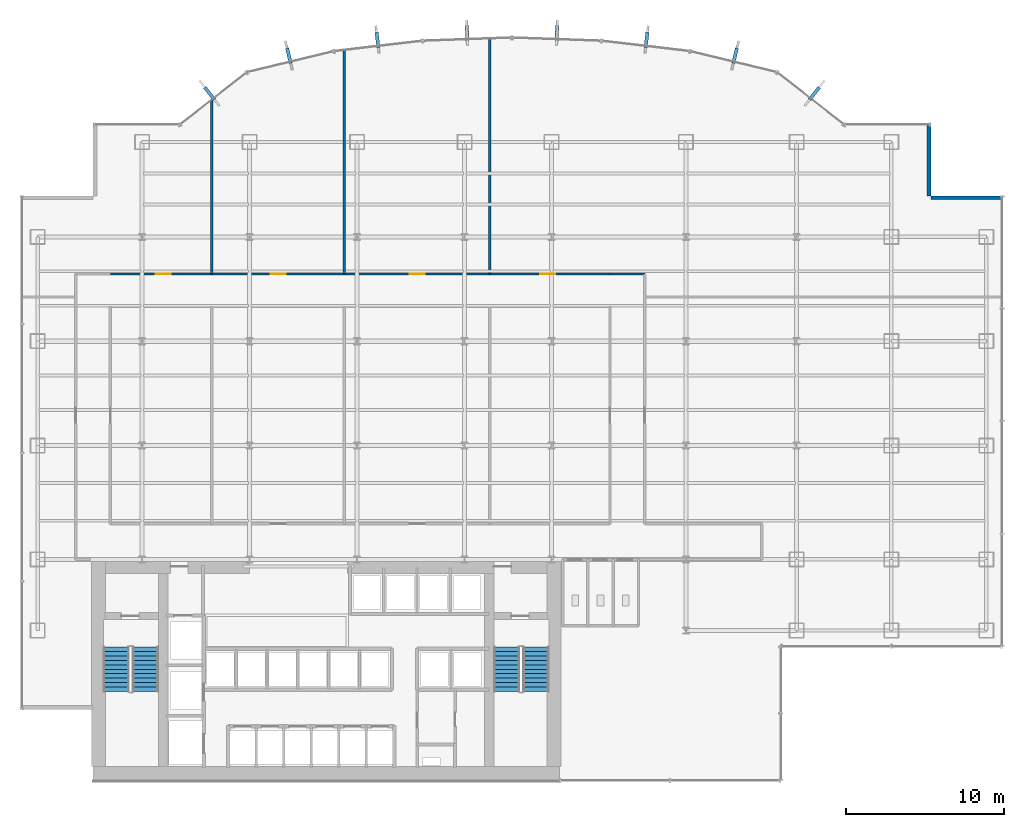
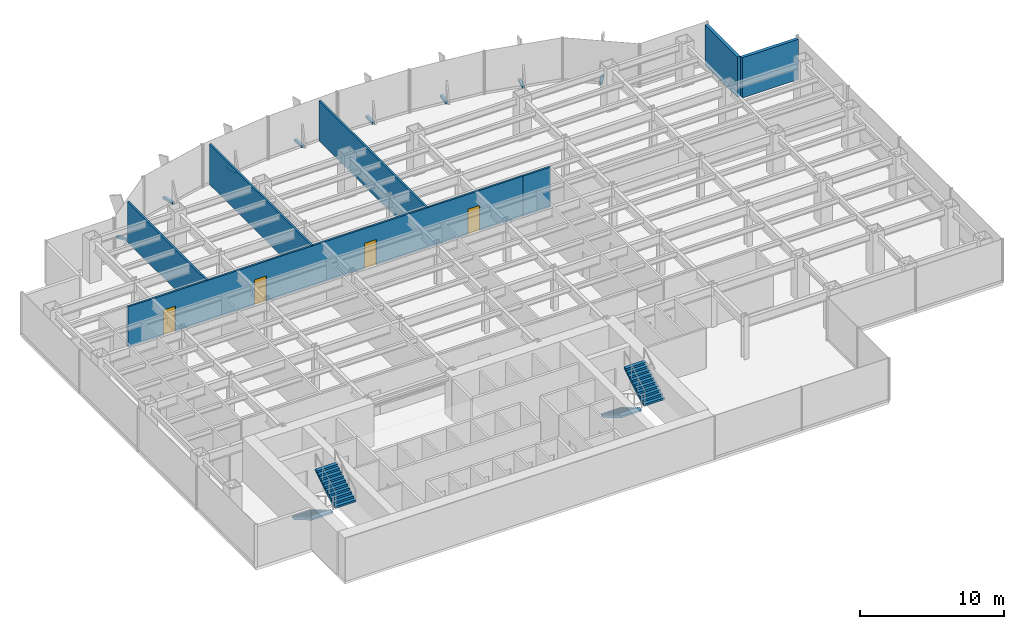
# One storey, part 19 of 22: 8 discrete accessories, 7 walls, 4 doors, 4 stair flights, 4 openings, 2 elements without a shape of their own.
"""IFC4 building model written with IfcOpenShell, lengths in metres."""

from ifc_helpers import new_model, si_unit, derived_unit, direction, frame, frame_2d, origin, origin_2d, place, context, subcontext, project, spatial, polyline, rectangle, outline, extrude, source, transform, mapped, material, layer, layer_set, type_object, element, fill, aggregate, save


model = new_model("IFC4")

# Units and contexts
model_context = context("Model", 3, precision=1e-05, world=origin(), true_north=direction((0.0, 1.0)))
body_context = subcontext(model_context, "Body", "Model", "MODEL_VIEW")
ifc_project = project(units=[si_unit("LENGTHUNIT", "METRE"), si_unit("AREAUNIT", "SQUARE_METRE"), si_unit("VOLUMEUNIT", "CUBIC_METRE"), si_unit("PLANEANGLEUNIT", "RADIAN"), si_unit("MASSUNIT", "GRAM", prefix="KILO"), derived_unit("THERMALTRANSMITTANCEUNIT", [(si_unit("POWERUNIT", "WATT"), 1), (si_unit("LENGTHUNIT", "METRE"), -2), (si_unit("THERMODYNAMICTEMPERATUREUNIT", "KELVIN"), -1)])], contexts=[model_context])

# Site, building, storey
site_placement = place(None, origin())
site = spatial("IfcSite", under=ifc_project, at=site_placement, CompositionType="ELEMENT")
building_placement = place(site_placement, origin())
building = spatial("IfcBuilding", under=site, at=building_placement, Name="Skarnbrae Concourse Arena and Tower", CompositionType="ELEMENT")
storey_placement = place(building_placement, frame((0.0, 0.0, 65.35009765625)))
storey = spatial("IfcBuildingStorey", under=building, at=storey_placement, Name="L15", CompositionType="ELEMENT", Elevation=65.35009765625)

# Walls
ifc_material_1 = material(Name="Precast concrete 40 MPa (C40/50)", Category="concrete")
ifc_layer_1 = layer(ifc_material_1, 0.25)
ifc_layer_set_1 = layer_set([ifc_layer_1], Name="Precast concrete 40 MPa (C40/50)")
wall_type_1 = type_object("IfcWallType", Name="WALL-EXT-SPANDREL-250", PredefinedType="STANDARD", material=ifc_layer_set_1)
shared_shape_1 = source(origin(), body_context, "Body", "SweptSolid", [
    extrude(rectangle(XDim=4.5, YDim=0.25, at=frame_2d((2.25, 0.0))), origin(), (0.0, 0.0, 1.0), 3.39990234375),
])
for number, where, z_axis, x_axis, name in (
    (1, (62.0, 36.875, 0.0), (0.0, 0.0, 1.0), (-1.0, 0.0, 0.0), "L15 Notched corner insulated return wall 05"),
    (2, (57.375, 37.0, 0.0), (0.0, 0.0, 1.0), (0.0, 1.0, 0.0), "L15 Notched corner insulated return wall 06"),
):
    element("IfcWall", number, at=place(storey_placement, frame(where, z_axis=z_axis, x_axis=x_axis)), inside=storey, type_object=wall_type_1, Name=name, PredefinedType="STANDARD", context=body_context, shape_type="MappedRepresentation", body=[
        mapped(shared_shape_1, transform((0.0, 0.0, 0.0))),
    ])
ifc_material_2 = material(Name="Gypsum board on cold-formed steel studs", Category="steel")
ifc_layer_2 = layer(ifc_material_2, 0.14990234375)
ifc_layer_set_2 = layer_set([ifc_layer_2], Name="Gypsum board on cold-formed steel studs")
wall_type_2 = type_object("IfcWallType", Name="WALL-PART-150-1HR", PredefinedType="PARTITIONING", material=ifc_layer_set_2)
shared_shape_2 = source(origin(), body_context, "Body", "SweptSolid", [
    extrude(rectangle(XDim=2.199951171875, YDim=0.14990234375, at=frame_2d((1.10009765625, 0.0))), origin(), (0.0, 0.0, 1.0), 3.39990234375),
])
wall_1_placement = place(storey_placement, frame((37.199951171875, 32.050048828125, 0.0), z_axis=(0.0, 0.0, 1.0), x_axis=(1.0, 0.0, 0.0)))
element("IfcWall", 3, at=wall_1_placement, inside=storey, type_object=wall_type_2, Name="L15 Interior partition wall W-L15-COR-07", PredefinedType="PARTITIONING", context=body_context, shape_type="MappedRepresentation", body=[
    mapped(shared_shape_2, transform((0.0, 0.0, 0.0))),
])

# Wall, openings, doors
shared_shape_3 = source(origin(), body_context, "Body", "SweptSolid", [
    extrude(rectangle(XDim=31.599853515625, YDim=0.14990234375, at=frame_2d((15.7998046875, 0.0))), origin(), (0.0, 0.0, 1.0), 3.39990234375),
])
wall_2_placement = place(storey_placement, frame((5.60009765625, 32.050048828125, 0.0), z_axis=(0.0, 0.0, 1.0), x_axis=(1.0, 0.0, 0.0)))
wall_2 = element("IfcWall", 4, at=wall_2_placement, inside=storey, type_object=wall_type_2, Name="L15 Interior partition wall W-L15-COR-06", PredefinedType="PARTITIONING", context=body_context, shape_type="MappedRepresentation", body=[
    mapped(shared_shape_3, transform((0.0, 0.0, 0.0))),
])
opening_1_placement = place(wall_2_placement, frame((2.85498046875, 0.0, 0.0)))
opening_1 = element("IfcOpeningElement", 5, at=opening_1_placement, cuts=wall_2, Name="Opening DT-04", PredefinedType="OPENING", context=body_context, shape_type="SweptSolid", body=[
    extrude(rectangle(XDim=0.949951171875, YDim=2.14990234375, at=frame_2d((0.47509765625, 1.074951171875))), frame((0.0, 0.0849609375, 0.0), z_axis=(0.0, -1.0, 0.0), x_axis=(1.0, 0.0, 0.0)), (0.0, 0.0, 1.0), 0.169921875),
])
opening_2_placement = place(wall_2_placement, frame((10.125, 0.0, 0.0)))
opening_2 = element("IfcOpeningElement", 6, at=opening_2_placement, cuts=wall_2, Name="Opening DT-04", PredefinedType="OPENING", context=body_context, shape_type="SweptSolid", body=[
    extrude(rectangle(XDim=0.949951171875, YDim=2.14990234375, at=frame_2d((0.47509765625, 1.074951171875))), frame((0.0, 0.0849609375, 0.0), z_axis=(0.0, -1.0, 0.0), x_axis=(1.0, 0.0, 0.0)), (0.0, 0.0, 1.0), 0.169921875),
])
opening_3_placement = place(wall_2_placement, frame((18.925048828125, 0.0, 0.0)))
opening_3 = element("IfcOpeningElement", 7, at=opening_3_placement, cuts=wall_2, Name="Opening DT-04", PredefinedType="OPENING", context=body_context, shape_type="SweptSolid", body=[
    extrude(rectangle(XDim=0.949951171875, YDim=2.14990234375, at=frame_2d((0.47509765625, 1.074951171875))), frame((0.0, 0.0849609375, 0.0), z_axis=(0.0, -1.0, 0.0), x_axis=(1.0, 0.0, 0.0)), (0.0, 0.0, 1.0), 0.169921875),
])
opening_4_placement = place(wall_2_placement, frame((27.195068359375, 0.0, 0.0)))
opening_4 = element("IfcOpeningElement", 8, at=opening_4_placement, cuts=wall_2, Name="Opening DT-04", PredefinedType="OPENING", context=body_context, shape_type="SweptSolid", body=[
    extrude(rectangle(XDim=0.949951171875, YDim=2.14990234375, at=frame_2d((0.47509765625, 1.074951171875))), frame((0.0, 0.0849609375, 0.0), z_axis=(0.0, -1.0, 0.0), x_axis=(1.0, 0.0, 0.0)), (0.0, 0.0, 1.0), 0.169921875),
])
ifc_material_3 = material(Name="Steel CSA G40.21 350W", Category="steel")
door_type = type_object("IfcDoorType", Name="DOOR-INT-950-45M", OperationType="NOTDEFINED", PredefinedType="DOOR", material=ifc_material_3)
shared_shape_4 = source(origin(), body_context, "Body", "SweptSolid", [
    extrude(rectangle(XDim=0.949951171875, YDim=2.14990234375, at=frame_2d((0.47509765625, 1.074951171875))), frame((0.0, 0.02490234375, 0.0), z_axis=(0.0, -1.0, 0.0), x_axis=(1.0, 0.0, 0.0)), (0.0, 0.0, 1.0), 0.050048828125),
])
door_1_placement = place(opening_1_placement, origin())
door_1 = element("IfcDoor", 9, at=door_1_placement, inside=storey, type_object=door_type, Name="D-0593 L15 Suite Door 02", OperationType="SINGLE_SWING_LEFT", OverallHeight=2.14990234375, OverallWidth=0.949951171875, PredefinedType="DOOR", context=body_context, shape_type="MappedRepresentation", body=[
    mapped(shared_shape_4, transform((0.0, 0.0, 0.0))),
])
fill(opening_1, door_1)
door_2_placement = place(opening_2_placement, origin())
door_2 = element("IfcDoor", 10, at=door_2_placement, inside=storey, type_object=door_type, Name="D-0596 L15 Suite Door 05", OperationType="SINGLE_SWING_RIGHT", OverallHeight=2.14990234375, OverallWidth=0.949951171875, PredefinedType="DOOR", context=body_context, shape_type="MappedRepresentation", body=[
    mapped(shared_shape_4, transform((0.0, 0.0, 0.0))),
])
fill(opening_2, door_2)
door_3_placement = place(opening_3_placement, origin())
door_3 = element("IfcDoor", 11, at=door_3_placement, inside=storey, type_object=door_type, Name="D-0598 L15 Suite Door 07", OperationType="SINGLE_SWING_RIGHT", OverallHeight=2.14990234375, OverallWidth=0.949951171875, PredefinedType="DOOR", context=body_context, shape_type="MappedRepresentation", body=[
    mapped(shared_shape_4, transform((0.0, 0.0, 0.0))),
])
fill(opening_3, door_3)
door_4_placement = place(opening_4_placement, origin())
door_4 = element("IfcDoor", 12, at=door_4_placement, inside=storey, type_object=door_type, Name="D-0600 L15 Suite Door 09", OperationType="SINGLE_SWING_RIGHT", OverallHeight=2.14990234375, OverallWidth=0.949951171875, PredefinedType="DOOR", context=body_context, shape_type="MappedRepresentation", body=[
    mapped(shared_shape_4, transform((0.0, 0.0, 0.0))),
])
fill(opening_4, door_4)

# Walls
ifc_layer_3 = layer(ifc_material_2, 0.14990234375)
ifc_layer_set_3 = layer_set([ifc_layer_3], Name="Gypsum board on cold-formed steel studs")
wall_type_3 = type_object("IfcWallType", Name="WALL-PART-150", PredefinedType="PARTITIONING", material=ifc_layer_set_3)
shared_shape_5 = source(origin(), body_context, "Body", "SweptSolid", [
    extrude(rectangle(XDim=10.989013671875, YDim=0.14990234375, at=frame_2d((5.49462890625, 0.0))), origin(), (0.0, 0.0, 1.0), 3.39990234375),
])
wall_3_placement = place(storey_placement, frame((12.0, 43.0390625, 0.0), z_axis=(0.0, 0.0, 1.0), x_axis=(0.0, -1.0, 0.0)))
element("IfcWall", 13, at=wall_3_placement, inside=storey, type_object=wall_type_3, Name="L15 Interior partition wall W-L15-DEM-19", PredefinedType="PARTITIONING", context=body_context, shape_type="MappedRepresentation", body=[
    mapped(shared_shape_5, transform((0.0, 0.0, 0.0))),
])
shared_shape_6 = source(origin(), body_context, "Body", "SweptSolid", [
    extrude(rectangle(XDim=14.14892578125, YDim=0.14990234375, at=frame_2d((7.074462890625, 0.0))), origin(), (0.0, 0.0, 1.0), 3.39990234375),
])
wall_4_placement = place(storey_placement, frame((20.39990234375, 46.198974609375, 0.0), z_axis=(0.0, 0.0, 1.0), x_axis=(0.0, -1.0, 0.0)))
element("IfcWall", 14, at=wall_4_placement, inside=storey, type_object=wall_type_3, Name="L15 Interior partition wall W-L15-DEM-21", PredefinedType="PARTITIONING", context=body_context, shape_type="MappedRepresentation", body=[
    mapped(shared_shape_6, transform((0.0, 0.0, 0.0))),
])
shared_shape_7 = source(origin(), body_context, "Body", "SweptSolid", [
    extrude(rectangle(XDim=14.879638671875, YDim=0.14990234375, at=frame_2d((7.43994140625, 0.0))), origin(), (0.0, 0.0, 1.0), 3.39990234375),
])
wall_5_placement = place(storey_placement, frame((29.60009765625, 46.9296875, 0.0), z_axis=(0.0, 0.0, 1.0), x_axis=(0.0, -1.0, 0.0)))
element("IfcWall", 15, at=wall_5_placement, inside=storey, type_object=wall_type_3, Name="L15 Interior partition wall W-L15-DEM-23", PredefinedType="PARTITIONING", context=body_context, shape_type="MappedRepresentation", body=[
    mapped(shared_shape_7, transform((0.0, 0.0, 0.0))),
])

# Stair, stair flights
ifc_material_4 = material(Name="Concrete 40 MPa (C40/50)", Category="concrete")
stair_type = type_object("IfcStairType", Name="STAIR-DOGLEG-1650", PredefinedType="HALF_TURN_STAIR", material=ifc_material_4)
stair_1_placement = place(storey_placement, origin())
stair_1 = element("IfcStair", 16, at=stair_1_placement, inside=storey, type_object=stair_type, Name="L15 Protected Exit Stair ST-1", PredefinedType="HALF_TURN_STAIR")
stair_flight_type = type_object("IfcStairFlightType", Name="FLIGHT-STRAIGHT-1650", PredefinedType="STRAIGHT", material=ifc_material_4)
shared_shape_8 = source(origin(), body_context, "Body", "SweptSolid", [
    extrude(outline(polyline([(0.0, 0.0), (0.0, 0.166015625), (0.280029296875, 0.166015625), (0.280029296875, 0.331787109375), (0.56005859375, 0.331787109375), (0.56005859375, 0.497802734375), (0.840087890625, 0.497802734375), (0.840087890625, 0.66357421875), (1.1201171875, 0.66357421875), (1.1201171875, 0.82958984375), (1.39990234375, 0.82958984375), (1.39990234375, 0.995361328125), (1.679931640625, 0.995361328125), (1.679931640625, 1.161376953125), (1.9599609375, 1.161376953125), (1.9599609375, 1.327392578125), (2.239990234375, 1.327392578125), (2.239990234375, 1.4931640625), (2.52001953125, 1.4931640625), (2.52001953125, 1.6591796875), (2.800048828125, 1.6591796875), (2.800048828125, 1.824951171875), (2.800048828125, 1.48486328125), (0.2939453125, 0.0), (0.0, 0.0)])), frame((0.0, 0.824951171875, 0.0), z_axis=(0.0, -1.0, 0.0), x_axis=(1.0, 0.0, 0.0)), (0.0, 0.0, 1.0), 1.64990234375),
])
stair_flight_1_placement = place(storey_placement, frame((5.97509765625, 8.449951171875, 0.0), z_axis=(0.0, 0.0, 1.0), x_axis=(0.0, -1.0, 0.0)))
stair_flight_1 = element("IfcStairFlight", 17, at=stair_flight_1_placement, type_object=stair_flight_type, Name="ST-1 flight 1", NumberOfRisers=11, NumberOfTreads=10, PredefinedType="STRAIGHT", RiserHeight=0.165909091, TreadLength=0.28, context=body_context, shape_type="MappedRepresentation", body=[
    mapped(shared_shape_8, transform((0.0, 0.0, 0.0))),
])
stair_flight_2_placement = place(storey_placement, frame((7.824951171875, 5.64990234375, 1.824951171875), z_axis=(0.0, 0.0, 1.0), x_axis=(0.0, 1.0, 0.0)))
stair_flight_2 = element("IfcStairFlight", 18, at=stair_flight_2_placement, type_object=stair_flight_type, Name="ST-1 flight 2", NumberOfRisers=11, NumberOfTreads=10, PredefinedType="STRAIGHT", RiserHeight=0.165909091, TreadLength=0.28, context=body_context, shape_type="MappedRepresentation", body=[
    mapped(shared_shape_8, transform((0.0, 0.0, 0.0))),
])
aggregate(stair_1, [stair_flight_1, stair_flight_2])

stair_2_placement = place(storey_placement, origin())
stair_2 = element("IfcStair", 19, at=stair_2_placement, inside=storey, type_object=stair_type, Name="L15 Protected Exit Stair ST-2", PredefinedType="HALF_TURN_STAIR")
stair_flight_3_placement = place(storey_placement, frame((30.675048828125, 8.449951171875, 0.0), z_axis=(0.0, 0.0, 1.0), x_axis=(0.0, -1.0, 0.0)))
stair_flight_3 = element("IfcStairFlight", 20, at=stair_flight_3_placement, type_object=stair_flight_type, Name="ST-2 flight 1", NumberOfRisers=11, NumberOfTreads=10, PredefinedType="STRAIGHT", RiserHeight=0.165909091, TreadLength=0.28, context=body_context, shape_type="MappedRepresentation", body=[
    mapped(shared_shape_8, transform((0.0, 0.0, 0.0))),
])
stair_flight_4_placement = place(storey_placement, frame((32.52490234375, 5.64990234375, 1.824951171875), z_axis=(0.0, 0.0, 1.0), x_axis=(0.0, 1.0, 0.0)))
stair_flight_4 = element("IfcStairFlight", 21, at=stair_flight_4_placement, type_object=stair_flight_type, Name="ST-2 flight 2", NumberOfRisers=11, NumberOfTreads=10, PredefinedType="STRAIGHT", RiserHeight=0.165909091, TreadLength=0.28, context=body_context, shape_type="MappedRepresentation", body=[
    mapped(shared_shape_8, transform((0.0, 0.0, 0.0))),
])
aggregate(stair_2, [stair_flight_3, stair_flight_4])

# Discrete accessories
ifc_material_5 = material(Name="Bronze anodised aluminium 6063-T6", Category="aluminium")
discrete_accessory_type = type_object("IfcDiscreteAccessoryType", Name="ACC-FIN-BRACKET", PredefinedType="BRACKET", material=ifc_material_5)
shared_shape_9 = source(origin(), body_context, "Body", "SweptSolid", [
    extrude(rectangle(XDim=0.219970703125, YDim=0.97998046875, at=origin_2d()), origin(), (0.0, 0.0, 1.0), 0.179931640625),
])
for number, where, z_axis, x_axis, name in (
    (22, (50.129638671875, 43.470947265625, -0.0302734375), (0.0, 0.0, 1.0), (0.787656027369, -0.616115234797, 0.0), "L15 Bronze fin foot support bracket 08"),
    (23, (45.11328125, 45.864990234375, -0.0302734375), (0.0, 0.0, 1.0), (0.971973311258, -0.235091221021, 0.0), "L15 Bronze fin foot support bracket 09"),
    (24, (39.509521484375, 46.865966796875, -0.0302734375), (0.0, 0.0, 1.0), (0.993243759876, -0.116046686587, 0.0), "L15 Bronze fin foot support bracket 10"),
    (25, (33.84130859375, 47.298095703125, -0.0302734375), (0.0, 0.0, 1.0), (0.999355613141, -0.035893710914, 0.0), "L15 Bronze fin foot support bracket 11"),
    (26, (28.15869140625, 47.298095703125, -0.0302734375), (0.0, 0.0, 1.0), (0.999355613141, 0.035893710914, 0.0), "L15 Bronze fin foot support bracket 12"),
    (27, (22.490478515625, 46.865966796875, -0.0302734375), (0.0, 0.0, 1.0), (0.993243759876, 0.116046686587, 0.0), "L15 Bronze fin foot support bracket 13"),
    (28, (16.88671875, 45.864990234375, -0.0302734375), (0.0, 0.0, 1.0), (0.971973311258, 0.235091221021, 0.0), "L15 Bronze fin foot support bracket 14"),
    (29, (11.870361328125, 43.470947265625, -0.0302734375), (0.0, 0.0, 1.0), (0.787656027369, 0.616115234797, 0.0), "L15 Bronze fin foot support bracket 15"),
):
    element("IfcDiscreteAccessory", number, at=place(storey_placement, frame(where, z_axis=z_axis, x_axis=x_axis)), inside=storey, type_object=discrete_accessory_type, Name=name, PredefinedType="BRACKET", context=body_context, shape_type="MappedRepresentation", body=[
        mapped(shared_shape_9, transform((0.0, 0.0, 0.0))),
    ])

save(model, "model.ifc")
